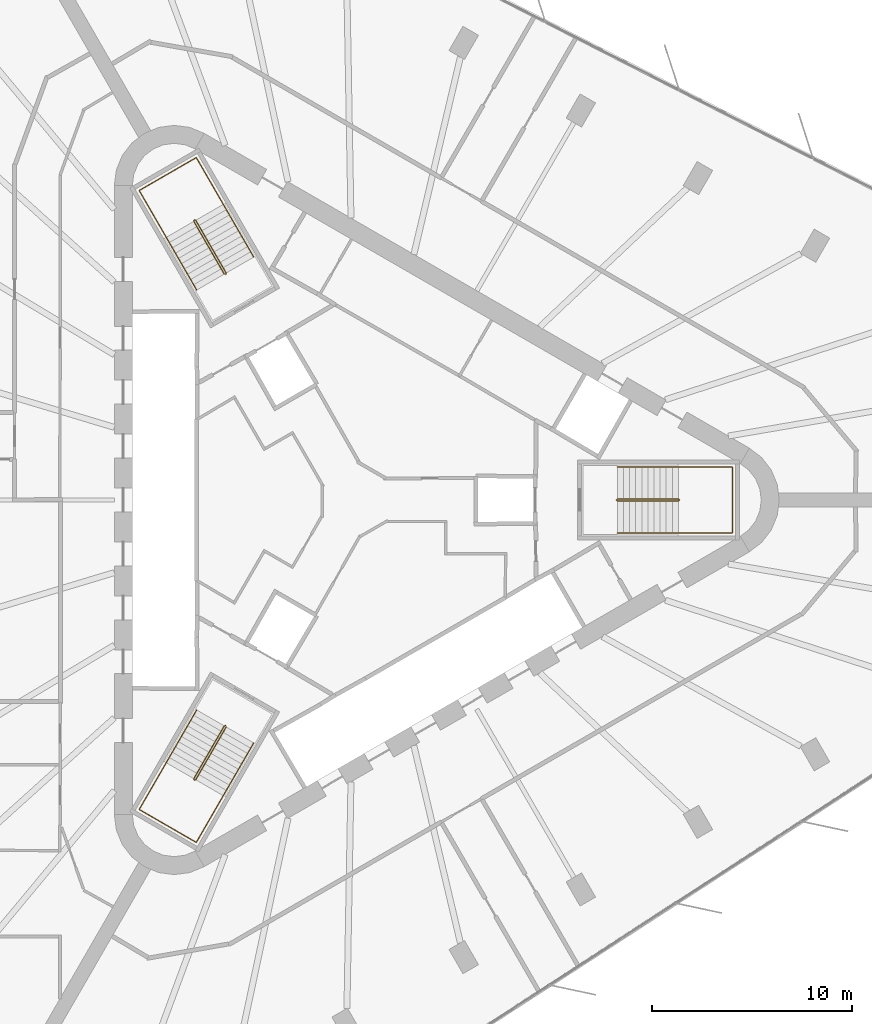
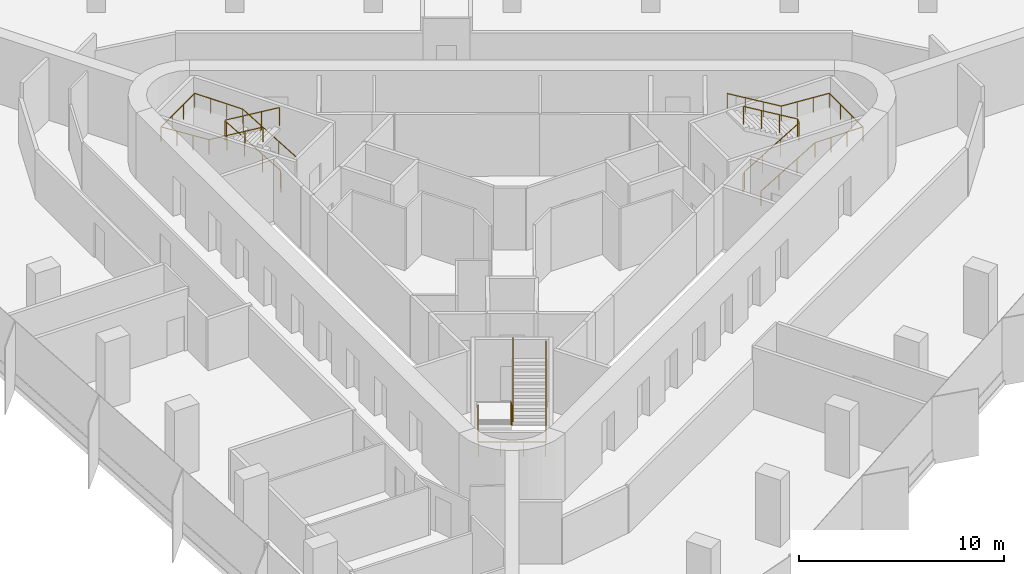
# One storey, part 13 of 13: 6 railings.
"""IFC4 building model written with IfcOpenShell, lengths in metres."""

import ifcopenshell
import ifcopenshell.guid

model = None  # the IFC model being written
_history = None  # IfcOwnerHistory: only IFC2X3 demands one
_inside = {}  # id of a spatial element -> (the spatial element, [elements in it])
_under = {}  # id of a project, library or spatial element -> (it, [spatial elements below it])
_declared = {}  # id of a project -> (the project, [libraries it declares])
_typed = {}  # id of a type object -> (the type object, [elements of that type])
_made_of = {}  # id of a material, layer set ... -> (it, [elements and type objects made of it])


def new_model(schema):
    """Start an empty IFC model of exactly this schema.

    Asked for "IFC4X3", IfcOpenShell would pick the latest addendum, in which some entities
    have other attributes; the version numbers below select the first issue.
    IFC2X3 requires an IfcOwnerHistory on every rooted entity: one is made here for all.
    """
    global model, _history
    if schema == "IFC4X3":
        model = ifcopenshell.file(schema_version=(4, 3, 0, 0))
    else:
        model = ifcopenshell.file(schema=schema)
    _inside.clear()
    _under.clear()
    _declared.clear()
    _typed.clear()
    _made_of.clear()
    _history = None
    if model.schema == "IFC2X3":
        org = make("IfcOrganization", Name="unknown")
        user = make(
            "IfcPersonAndOrganization",
            ThePerson=make("IfcPerson", FamilyName="unknown"),
            TheOrganization=org,
        )
        app = make(
            "IfcApplication",
            ApplicationDeveloper=org,
            Version="unknown",
            ApplicationFullName="unknown",
            ApplicationIdentifier="unknown",
        )
        _history = make(
            "IfcOwnerHistory",
            OwningUser=user,
            OwningApplication=app,
            ChangeAction="ADDED",
            CreationDate=0,
        )
    return model


def make(cls, **values):
    """One entity of the class cls with the attributes given. An attribute that is None is left unset."""
    return model.create_entity(
        cls, **{name: value for name, value in values.items() if value is not None}
    )


def rooted(cls, **values):
    """An entity with a GlobalId (a new one), such as an element, a storey or a relation."""
    return make(cls, GlobalId=ifcopenshell.guid.new(), OwnerHistory=_history, **values)


def si_unit(unit_type, name, prefix=None):
    """IfcSIUnit, for example si_unit("LENGTHUNIT", "METRE", prefix="MILLI")."""
    return make("IfcSIUnit", UnitType=unit_type, Prefix=prefix, Name=name)


def assignment(units):
    """IfcUnitAssignment: the units of a project."""
    return None if units is None else make("IfcUnitAssignment", Units=units)


def point(xyz):
    """IfcCartesianPoint."""
    return None if xyz is None else make("IfcCartesianPoint", Coordinates=xyz)


def direction(xyz):
    """IfcDirection."""
    return None if xyz is None else make("IfcDirection", DirectionRatios=xyz)


def frame(location, z_axis=None, x_axis=None):
    """IfcAxis2Placement3D, a coordinate frame: its origin and axes. An axis left out is left unset."""
    return make(
        "IfcAxis2Placement3D",
        Location=point(location),
        Axis=direction(z_axis),
        RefDirection=direction(x_axis),
    )


def frame_2d(location, x_axis=None):
    """IfcAxis2Placement2D, a coordinate frame in the plane: its origin and x axis."""
    return make(
        "IfcAxis2Placement2D", Location=point(location), RefDirection=direction(x_axis)
    )


def origin():
    """The frame at (0, 0, 0) with its axes left unset."""
    return frame((0.0, 0.0, 0.0))


def origin_2d():
    """The frame at (0, 0) in the plane with its x axis left unset."""
    return frame_2d((0.0, 0.0))


def place(relative_to, where):
    """IfcLocalPlacement: puts the frame where relative to a parent placement (None: the world)."""
    return make(
        "IfcLocalPlacement", PlacementRelTo=relative_to, RelativePlacement=where
    )


def context(
    kind, dimensions, precision=None, world=None, true_north=None, identifier=None
):
    """IfcGeometricRepresentationContext, for example the 3D "Model" context."""
    return make(
        "IfcGeometricRepresentationContext",
        ContextIdentifier=identifier,
        ContextType=kind,
        CoordinateSpaceDimension=dimensions,
        Precision=precision,
        WorldCoordinateSystem=world,
        TrueNorth=true_north,
    )


def subcontext(parent, identifier, kind, view, scale=None):
    """IfcGeometricRepresentationSubContext, for example "Body" below "Model"."""
    return make(
        "IfcGeometricRepresentationSubContext",
        ContextIdentifier=identifier,
        ContextType=kind,
        ParentContext=parent,
        TargetScale=scale,
        TargetView=view,
    )


def project(units=None, contexts=None):
    """IfcProject with its units and contexts."""
    return rooted(
        "IfcProject",
        Name="project",
        RepresentationContexts=contexts,
        UnitsInContext=assignment(units),
    )


def spatial(cls, under=None, at=None, **own):
    """A site, building, storey or space (cls), placed at a placement, below another one or the project."""
    s = rooted(cls, ObjectPlacement=at, **own)
    if under is not None:
        _under.setdefault(under.id(), (under, []))[1].append(s)
    return s


def profile(cls, at=None, kind="AREA", **sizes):
    """A parametric profile (cls). Its sizes go by their IFC names, for example OverallWidth=200.0."""
    return make(cls, ProfileType=kind, Position=at, **sizes)


def circle(**sizes):
    """IfcCircleProfileDef."""
    return profile("IfcCircleProfileDef", **sizes)


def extrude(swept, where, along, depth):
    """IfcExtrudedAreaSolid: the profile swept, set in the frame where, extruded along a direction by depth."""
    return make(
        "IfcExtrudedAreaSolid",
        SweptArea=swept,
        Position=where,
        ExtrudedDirection=direction(along),
        Depth=depth,
    )


def shape(context_of_items, identifier, shape_type, items):
    """IfcShapeRepresentation: the items that make up one representation, for example the "Body"."""
    return make(
        "IfcShapeRepresentation",
        ContextOfItems=context_of_items,
        RepresentationIdentifier=identifier,
        RepresentationType=shape_type,
        Items=items,
    )


def material(Name=None, Category=None):
    """IfcMaterial."""
    return make("IfcMaterial", Name=Name, Category=Category)


def made_of(thing, what):
    """Note that an element or type object is made of a material, layer set ...; save() writes the relation."""
    if what is not None:
        _made_of.setdefault(what.id(), (what, []))[1].append(thing)
    return thing


def type_object(cls, material=None, **own):
    """A type object (cls), such as IfcWallType, which elements share."""
    return made_of(rooted(cls, **own), material)


def element(
    cls,
    number,
    at=None,
    inside=None,
    cuts=None,
    type_object=None,
    material=None,
    context=None,
    identifier="Body",
    shape_type=None,
    held_by="IfcProductDefinitionShape",
    body=None,
    shapes=None,
    **own,
):
    """One element of the class cls, such as IfcWall. Its Tag is "e" and its number.

    at: its placement. inside: the storey or other place that contains it. cuts: it is an
    opening in that element (IfcRelVoidsElement). A single representation is given by context,
    identifier, shape_type and body (its items); several are given by shapes. held_by: the class
    of the entity that holds the representations. save() writes the other relations.
    """
    e = rooted(cls, Tag="e%d" % number, ObjectPlacement=at, **own)
    if body is not None:
        shapes = [shape(context, identifier, shape_type, body)]
    if shapes is not None:
        e.Representation = make(held_by, Representations=shapes)
    if inside is not None:
        _inside.setdefault(inside.id(), (inside, []))[1].append(e)
    if cuts is not None:
        rooted(
            "IfcRelVoidsElement", RelatingBuildingElement=cuts, RelatedOpeningElement=e
        )
    if type_object is not None:
        _typed.setdefault(type_object.id(), (type_object, []))[1].append(e)
    return made_of(e, material)


def aggregate(whole, parts):
    """IfcRelAggregates: a whole, such as a stair, and the parts it consists of."""
    return rooted("IfcRelAggregates", RelatingObject=whole, RelatedObjects=parts)


def save(model, path):
    """Write the relations noted so far, then the file.

    IfcRelAggregates (storeys below a building ...), IfcRelContainedInSpatialStructure (elements
    in a storey), IfcRelDefinesByType, IfcRelAssociatesMaterial and IfcRelDeclares: one each for
    every whole, place, type object, material and project.
    """
    for whole, parts in _under.values():
        aggregate(whole, parts)
    for where, things in _inside.values():
        rooted(
            "IfcRelContainedInSpatialStructure",
            RelatedElements=things,
            RelatingStructure=where,
        )
    for kind, things in _typed.values():
        rooted("IfcRelDefinesByType", RelatedObjects=things, RelatingType=kind)
    for what, things in _made_of.values():
        rooted("IfcRelAssociatesMaterial", RelatedObjects=things, RelatingMaterial=what)
    for by, libraries in _declared.values():
        rooted("IfcRelDeclares", RelatingContext=by, RelatedDefinitions=libraries)
    model.write(path)


model = new_model("IFC4")

# Units and contexts
model_context = context("Model", 3, precision=1e-05, world=origin(), true_north=direction((0.0, 1.0)))
body_context = subcontext(model_context, "Body", "Model", "MODEL_VIEW")
ifc_project = project(units=[si_unit("LENGTHUNIT", "METRE"), si_unit("AREAUNIT", "SQUARE_METRE"), si_unit("VOLUMEUNIT", "CUBIC_METRE"), si_unit("PLANEANGLEUNIT", "RADIAN"), si_unit("MASSUNIT", "GRAM", prefix="KILO")], contexts=[model_context])

# Site, building, storey
site_placement = place(None, origin())
site = spatial("IfcSite", under=ifc_project, at=site_placement, CompositionType="ELEMENT")
building_placement = place(site_placement, origin())
building = spatial("IfcBuilding", under=site, at=building_placement, Name="Tanit Gate Tower", CompositionType="ELEMENT")
storey_placement = place(building_placement, frame((0.0, 0.0, 177.199951171875)))
storey = spatial("IfcBuildingStorey", under=building, at=storey_placement, Name="L38", CompositionType="ELEMENT", Elevation=177.199951171875)

# Railings
ifc_material_1 = material(Name="Stainless steel balustrade", Category="steel")
railing_type_1 = type_object("IfcRailingType", Name="INT-STAIR-GUARD", PredefinedType="GUARDRAIL", material=ifc_material_1)
railing_1_placement = place(storey_placement, frame((13.044921875, 0.0048828125, 0.0)))
element("IfcRailing", 1, at=railing_1_placement, inside=storey, type_object=railing_type_1, Name="L38 S1 stair guard 1", PredefinedType="GUARDRAIL", context=body_context, shape_type="SweptSolid", body=[
    extrude(circle(Radius=0.02392578125, at=origin_2d()), frame((0.0, 0.0, 1.076171875), z_axis=(0.0, -1.0, 0.0), x_axis=(1.0, 0.0, 0.0)), (0.0, 0.0, 1.0), 0.009765625),
    extrude(circle(Radius=0.02392578125, at=origin_2d()), frame((0.0, -0.009765625, 1.076171875), z_axis=(0.256435381639, -0.256435381639, 0.931923704005), x_axis=(0.707106781187, 0.707106781187, 0.0)), (0.0, 0.0, 1.0), 0.195068359375),
    extrude(circle(Radius=0.02392578125, at=origin_2d()), frame((0.050048828125, -0.059814453125, 1.2578125), z_axis=(0.859041732319, 0.0, 0.511905559781), x_axis=(0.0, 1.0, 0.0)), (0.0, 0.0, 1.0), 3.5517578125),
    extrude(circle(Radius=0.02392578125, at=origin_2d()), frame((3.10107421875, -0.059814453125, 3.076171875), z_axis=(0.707106781187, 0.707106781187, 0.0), x_axis=(-0.707106781187, 0.707106781187, 0.0)), (0.0, 0.0, 1.0), 0.07080078125),
    extrude(circle(Radius=0.02392578125, at=origin_2d()), frame((3.151123046875, -0.009765625, 3.076171875), z_axis=(0.0, 1.0, 0.0), x_axis=(-1.0, 0.0, 0.0)), (0.0, 0.0, 1.0), 0.009765625),
    extrude(circle(Radius=0.02392578125, at=origin_2d()), frame((3.151123046875, 0.0, 3.076171875), z_axis=(-0.256435381639, 0.256435381639, 0.931923704005), x_axis=(-0.707106781187, -0.707106781187, 0.0)), (0.0, 0.0, 1.0), 0.195068359375),
    extrude(circle(Radius=0.02392578125, at=origin_2d()), frame((3.10107421875, 0.050048828125, 3.2578125), z_axis=(-0.859041732319, 0.0, 0.511905559781), x_axis=(0.0, -1.0, 0.0)), (0.0, 0.0, 1.0), 3.5517578125),
    extrude(circle(Radius=0.02099609375, at=origin_2d()), origin(), (0.0, 0.0, 1.0), 1.052001953125),
    extrude(circle(Radius=0.02099609375, at=origin_2d()), frame((0.0, -0.009765625, 0.0)), (0.0, 0.0, 1.0), 1.052001953125),
    extrude(circle(Radius=0.02099609375, at=origin_2d()), frame((0.050048828125, -0.059814453125, 0.181884765625)), (0.0, 0.0, 1.0), 1.052001953125),
    extrude(circle(Radius=0.02099609375, at=origin_2d()), frame((1.067138671875, -0.059814453125, 0.787841796875)), (0.0, 0.0, 1.0), 1.052001953125),
    extrude(circle(Radius=0.02099609375, at=origin_2d()), frame((2.083984375, -0.059814453125, 1.39404296875)), (0.0, 0.0, 1.0), 1.052001953125),
    extrude(circle(Radius=0.02099609375, at=origin_2d()), frame((3.10107421875, -0.059814453125, 2.0)), (0.0, 0.0, 1.0), 1.052001953125),
    extrude(circle(Radius=0.02099609375, at=origin_2d()), frame((3.151123046875, -0.009765625, 2.0)), (0.0, 0.0, 1.0), 1.052001953125),
    extrude(circle(Radius=0.02099609375, at=origin_2d()), frame((3.151123046875, 0.0, 2.0)), (0.0, 0.0, 1.0), 1.052001953125),
    extrude(circle(Radius=0.02099609375, at=origin_2d()), frame((3.10107421875, 0.050048828125, 2.181884765625)), (0.0, 0.0, 1.0), 1.052001953125),
    extrude(circle(Radius=0.02099609375, at=origin_2d()), frame((2.083984375, 0.050048828125, 2.787841796875)), (0.0, 0.0, 1.0), 1.052001953125),
    extrude(circle(Radius=0.02099609375, at=origin_2d()), frame((1.067138671875, 0.050048828125, 3.39404296875)), (0.0, 0.0, 1.0), 1.052001953125),
    extrude(circle(Radius=0.02099609375, at=origin_2d()), frame((0.050048828125, 0.050048828125, 4.0)), (0.0, 0.0, 1.0), 1.052001953125),
])
railing_2_placement = place(storey_placement, frame((-6.527099609375, 11.29345703125, 0.0)))
element("IfcRailing", 2, at=railing_2_placement, inside=storey, type_object=railing_type_1, Name="L38 S2 stair guard 1", PredefinedType="GUARDRAIL", context=body_context, shape_type="SweptSolid", body=[
    extrude(circle(Radius=0.02392578125, at=origin_2d()), frame((0.0, 0.0, 1.076171875), z_axis=(0.868243142124, 0.496138938357, 0.0), x_axis=(-0.496138938357, 0.868243142124, 0.0)), (0.0, 0.0, 1.0), 0.01171875),
    extrude(circle(Radius=0.02392578125, at=origin_2d()), frame((0.01025390625, 0.005859375, 1.076171875), z_axis=(0.093819657636, 0.350260055175, 0.93194193252), x_axis=(-0.965948051503, 0.258736085224, 0.0)), (0.0, 0.0, 1.0), 0.195068359375),
    extrude(circle(Radius=0.02392578125, at=origin_2d()), frame((0.028564453125, 0.07421875, 1.2578125), z_axis=(-0.429472220917, 0.743822504634, 0.512134448226), x_axis=(-0.866012246495, -0.500022788402, 0.0)), (0.0, 0.0, 1.0), 3.550048828125),
    extrude(circle(Radius=0.02392578125, at=origin_2d()), frame((-1.49609375, 2.71484375, 3.076171875), z_axis=(-0.965715946433, 0.259601060869, 0.0), x_axis=(-0.259601060869, -0.965715946433, 0.0)), (0.0, 0.0, 1.0), 0.070556640625),
    extrude(circle(Radius=0.02392578125, at=origin_2d()), frame((-1.564208984375, 2.733154296875, 3.076171875), z_axis=(-0.873197702015, -0.487366159264, 0.0), x_axis=(0.487366159264, -0.873197702015, 0.0)), (0.0, 0.0, 1.0), 0.011962890625),
    extrude(circle(Radius=0.02392578125, at=origin_2d()), frame((-1.57470703125, 2.727294921875, 3.076171875), z_axis=(-0.093819657636, -0.350260055175, 0.93194193252), x_axis=(0.965948051503, -0.258736085224, 0.0)), (0.0, 0.0, 1.0), 0.195068359375),
    extrude(circle(Radius=0.02392578125, at=origin_2d()), frame((-1.593017578125, 2.658935546875, 3.2578125), z_axis=(0.429472220917, -0.743822504634, 0.512134448226), x_axis=(0.866012246495, 0.500022788402, 0.0)), (0.0, 0.0, 1.0), 3.550048828125),
    extrude(circle(Radius=0.02099609375, at=origin_2d()), origin(), (0.0, 0.0, 1.0), 1.052001953125),
    extrude(circle(Radius=0.02099609375, at=origin_2d()), frame((0.01025390625, 0.005859375, 0.0)), (0.0, 0.0, 1.0), 1.052001953125),
    extrude(circle(Radius=0.02099609375, at=origin_2d()), frame((0.028564453125, 0.07421875, 0.181884765625)), (0.0, 0.0, 1.0), 1.052001953125),
    extrude(circle(Radius=0.02099609375, at=origin_2d()), frame((-0.479736328125, 0.954345703125, 0.787841796875)), (0.0, 0.0, 1.0), 1.052001953125),
    extrude(circle(Radius=0.02099609375, at=origin_2d()), frame((-0.98779296875, 1.834716796875, 1.39404296875)), (0.0, 0.0, 1.0), 1.052001953125),
    extrude(circle(Radius=0.02099609375, at=origin_2d()), frame((-1.49609375, 2.71484375, 2.0)), (0.0, 0.0, 1.0), 1.052001953125),
    extrude(circle(Radius=0.02099609375, at=origin_2d()), frame((-1.564208984375, 2.733154296875, 2.0)), (0.0, 0.0, 1.0), 1.052001953125),
    extrude(circle(Radius=0.02099609375, at=origin_2d()), frame((-1.57470703125, 2.727294921875, 2.0)), (0.0, 0.0, 1.0), 1.052001953125),
    extrude(circle(Radius=0.02099609375, at=origin_2d()), frame((-1.593017578125, 2.658935546875, 2.181884765625)), (0.0, 0.0, 1.0), 1.052001953125),
    extrude(circle(Radius=0.02099609375, at=origin_2d()), frame((-1.084716796875, 1.77880859375, 2.787841796875)), (0.0, 0.0, 1.0), 1.052001953125),
    extrude(circle(Radius=0.02099609375, at=origin_2d()), frame((-0.57666015625, 0.8984375, 3.39404296875)), (0.0, 0.0, 1.0), 1.052001953125),
    extrude(circle(Radius=0.02099609375, at=origin_2d()), frame((-0.068359375, 0.018310546875, 4.0)), (0.0, 0.0, 1.0), 1.052001953125),
])
railing_3_placement = place(storey_placement, frame((-6.51806640625, -11.2998046875, 0.0)))
element("IfcRailing", 3, at=railing_3_placement, inside=storey, type_object=railing_type_1, Name="L38 S3 stair guard 1", PredefinedType="GUARDRAIL", context=body_context, shape_type="SweptSolid", body=[
    extrude(circle(Radius=0.02392578125, at=origin_2d()), frame((0.0, 0.0, 1.076171875), z_axis=(-0.874157276122, 0.485642931179, 0.0), x_axis=(-0.485642931179, -0.874157276122, 0.0)), (0.0, 0.0, 1.0), 0.010009765625),
    extrude(circle(Radius=0.02392578125, at=origin_2d()), frame((-0.0087890625, 0.0048828125, 1.076171875), z_axis=(-0.350300895388, -0.092579522353, 0.932050596658), x_axis=(0.255512919477, -0.966805641264, 0.0)), (0.0, 0.0, 1.0), 0.195068359375),
    extrude(circle(Radius=0.02392578125, at=origin_2d()), frame((-0.0771484375, -0.01318359375, 1.2578125), z_axis=(-0.429486674828, -0.743971555965, 0.511905772639), x_axis=(0.866048339477, -0.499960272111, 0.0)), (0.0, 0.0, 1.0), 3.5517578125),
    extrude(circle(Radius=0.02392578125, at=origin_2d()), frame((-1.6025390625, -2.655517578125, 3.076171875), z_axis=(0.258736085224, -0.965948051503, 0.0), x_axis=(0.965948051503, 0.258736085224, 0.0)), (0.0, 0.0, 1.0), 0.07080078125),
    extrude(circle(Radius=0.02392578125, at=origin_2d()), frame((-1.584228515625, -2.723876953125, 3.076171875), z_axis=(0.868243142124, -0.496138938357, 0.0), x_axis=(0.496138938357, 0.868243142124, 0.0)), (0.0, 0.0, 1.0), 0.009765625),
    extrude(circle(Radius=0.02392578125, at=origin_2d()), frame((-1.57568359375, -2.728759765625, 3.076171875), z_axis=(0.350260055175, 0.093819657636, 0.93194193252), x_axis=(-0.258736085224, 0.965948051503, 0.0)), (0.0, 0.0, 1.0), 0.195068359375),
    extrude(circle(Radius=0.02392578125, at=origin_2d()), frame((-1.50732421875, -2.71044921875, 3.2578125), z_axis=(0.429564698942, 0.743918894535, 0.511916836777), x_axis=(-0.865993683553, 0.500054937028, 0.0)), (0.0, 0.0, 1.0), 3.551513671875),
    extrude(circle(Radius=0.02099609375, at=origin_2d()), origin(), (0.0, 0.0, 1.0), 1.052001953125),
    extrude(circle(Radius=0.02099609375, at=origin_2d()), frame((-0.0087890625, 0.0048828125, 0.0)), (0.0, 0.0, 1.0), 1.052001953125),
    extrude(circle(Radius=0.02099609375, at=origin_2d()), frame((-0.0771484375, -0.01318359375, 0.181884765625)), (0.0, 0.0, 1.0), 1.052001953125),
    extrude(circle(Radius=0.02099609375, at=origin_2d()), frame((-0.585693359375, -0.89404296875, 0.787841796875)), (0.0, 0.0, 1.0), 1.052001953125),
    extrude(circle(Radius=0.02099609375, at=origin_2d()), frame((-1.093994140625, -1.774658203125, 1.39404296875)), (0.0, 0.0, 1.0), 1.052001953125),
    extrude(circle(Radius=0.02099609375, at=origin_2d()), frame((-1.6025390625, -2.655517578125, 2.0)), (0.0, 0.0, 1.0), 1.052001953125),
    extrude(circle(Radius=0.02099609375, at=origin_2d()), frame((-1.584228515625, -2.723876953125, 2.0)), (0.0, 0.0, 1.0), 1.052001953125),
    extrude(circle(Radius=0.02099609375, at=origin_2d()), frame((-1.57568359375, -2.728759765625, 2.0)), (0.0, 0.0, 1.0), 1.052001953125),
    extrude(circle(Radius=0.02099609375, at=origin_2d()), frame((-1.50732421875, -2.71044921875, 2.181884765625)), (0.0, 0.0, 1.0), 1.052001953125),
    extrude(circle(Radius=0.02099609375, at=origin_2d()), frame((-0.998779296875, -1.829833984375, 2.787841796875)), (0.0, 0.0, 1.0), 1.052001953125),
    extrude(circle(Radius=0.02099609375, at=origin_2d()), frame((-0.490234375, -0.948974609375, 3.39404296875)), (0.0, 0.0, 1.0), 1.052001953125),
    extrude(circle(Radius=0.02099609375, at=origin_2d()), frame((0.018310546875, -0.068359375, 4.0)), (0.0, 0.0, 1.0), 1.052001953125),
])
ifc_material_2 = material(Name="Stainless steel handrail", Category="steel")
railing_type_2 = type_object("IfcRailingType", Name="INT-STAIR-HANDRAIL", PredefinedType="HANDRAIL", material=ifc_material_2)
railing_4_placement = place(storey_placement, frame((13.094970703125, -1.64990234375, 0.181884765625)))
element("IfcRailing", 4, at=railing_4_placement, inside=storey, type_object=railing_type_2, Name="L38 S1 stair handrail 1", PredefinedType="HANDRAIL", context=body_context, shape_type="SweptSolid", body=[
    extrude(circle(Radius=0.02392578125, at=origin_2d()), frame((0.0, 0.0, 0.8759765625), z_axis=(0.859041732319, 0.0, 0.511905559781), x_axis=(0.0, 1.0, 0.0)), (0.0, 0.0, 1.0), 3.5517578125),
    extrude(circle(Radius=0.02392578125, at=origin_2d()), frame((3.051025390625, 0.0, 2.69384765625), z_axis=(1.0, 0.0, 0.0), x_axis=(0.0, 1.0, 0.0)), (0.0, 0.0, 1.0), 2.7041015625),
    extrude(circle(Radius=0.02392578125, at=origin_2d()), frame((5.755126953125, 0.0, 2.69384765625), z_axis=(0.0, 1.0, 0.0), x_axis=(-1.0, 0.0, 0.0)), (0.0, 0.0, 1.0), 3.2998046875),
    extrude(circle(Radius=0.02392578125, at=origin_2d()), frame((5.755126953125, 3.2998046875, 2.69384765625), z_axis=(-0.997745521698, 0.0, 0.067110907698), x_axis=(0.0, -1.0, 0.0)), (0.0, 0.0, 1.0), 2.710205078125),
    extrude(circle(Radius=0.02392578125, at=origin_2d()), frame((3.051025390625, 3.2998046875, 2.8759765625), z_axis=(-0.859041732319, 0.0, 0.511905559781), x_axis=(0.0, -1.0, 0.0)), (0.0, 0.0, 1.0), 3.5517578125),
    extrude(circle(Radius=0.02099609375, at=origin_2d()), origin(), (0.0, 0.0, 1.0), 0.851806640625),
    extrude(circle(Radius=0.02099609375, at=origin_2d()), frame((1.01708984375, 0.0, 0.60595703125)), (0.0, 0.0, 1.0), 0.851806640625),
    extrude(circle(Radius=0.02099609375, at=origin_2d()), frame((2.033935546875, 0.0, 1.212158203125)), (0.0, 0.0, 1.0), 0.851806640625),
    extrude(circle(Radius=0.02099609375, at=origin_2d()), frame((3.051025390625, 0.0, 1.818115234375)), (0.0, 0.0, 1.0), 0.851806640625),
    extrude(circle(Radius=0.02099609375, at=origin_2d()), frame((3.952392578125, 0.0, 1.818115234375)), (0.0, 0.0, 1.0), 0.851806640625),
    extrude(circle(Radius=0.02099609375, at=origin_2d()), frame((4.853759765625, 0.0, 1.818115234375)), (0.0, 0.0, 1.0), 0.851806640625),
    extrude(circle(Radius=0.02099609375, at=origin_2d()), frame((5.755126953125, 0.0, 1.818115234375)), (0.0, 0.0, 1.0), 0.851806640625),
    extrude(circle(Radius=0.02099609375, at=origin_2d()), frame((5.755126953125, 1.099853515625, 1.818115234375)), (0.0, 0.0, 1.0), 0.851806640625),
    extrude(circle(Radius=0.02099609375, at=origin_2d()), frame((5.755126953125, 2.199951171875, 1.818115234375)), (0.0, 0.0, 1.0), 0.851806640625),
    extrude(circle(Radius=0.02099609375, at=origin_2d()), frame((5.755126953125, 3.2998046875, 1.818115234375)), (0.0, 0.0, 1.0), 0.851806640625),
    extrude(circle(Radius=0.02099609375, at=origin_2d()), frame((4.853759765625, 3.2998046875, 1.878662109375)), (0.0, 0.0, 1.0), 0.851806640625),
    extrude(circle(Radius=0.02099609375, at=origin_2d()), frame((3.952392578125, 3.2998046875, 1.939453125)), (0.0, 0.0, 1.0), 0.851806640625),
    extrude(circle(Radius=0.02099609375, at=origin_2d()), frame((3.051025390625, 3.2998046875, 2.0)), (0.0, 0.0, 1.0), 0.851806640625),
    extrude(circle(Radius=0.02099609375, at=origin_2d()), frame((2.033935546875, 3.2998046875, 2.60595703125)), (0.0, 0.0, 1.0), 0.851806640625),
    extrude(circle(Radius=0.02099609375, at=origin_2d()), frame((1.01708984375, 3.2998046875, 3.212158203125)), (0.0, 0.0, 1.0), 0.851806640625),
    extrude(circle(Radius=0.02099609375, at=origin_2d()), frame((0.0, 3.2998046875, 3.818115234375)), (0.0, 0.0, 1.0), 0.851806640625),
])
railing_5_placement = place(storey_placement, frame((-5.1181640625, 12.164794921875, 0.181884765625)))
element("IfcRailing", 5, at=railing_5_placement, inside=storey, type_object=railing_type_2, Name="L38 S2 stair handrail 1", PredefinedType="HANDRAIL", context=body_context, shape_type="SweptSolid", body=[
    extrude(circle(Radius=0.02392578125, at=origin_2d()), frame((0.0, 0.0, 0.8759765625), z_axis=(-0.429416132344, 0.743844472684, 0.512149573602), x_axis=(-0.866046917185, -0.499962735845, 0.0)), (0.0, 0.0, 1.0), 3.550048828125),
    extrude(circle(Radius=0.02392578125, at=origin_2d()), frame((-1.5244140625, 2.640625, 2.69384765625), z_axis=(-0.500019123664, 0.86601436245, 0.0), x_axis=(-0.86601436245, -0.500019123664, 0.0)), (0.0, 0.0, 1.0), 2.70703125),
    extrude(circle(Radius=0.02392578125, at=origin_2d()), frame((-2.8779296875, 4.98486328125, 2.69384765625), z_axis=(-0.866008176907, -0.50002983664, 0.0), x_axis=(0.50002983664, -0.866008176907, 0.0)), (0.0, 0.0, 1.0), 3.300048828125),
    extrude(circle(Radius=0.02392578125, at=origin_2d()), frame((-5.73583984375, 3.334716796875, 2.69384765625), z_axis=(0.498932980467, -0.864043208057, 0.067046369128), x_axis=(0.865991810323, 0.500058181068, 0.0)), (0.0, 0.0, 1.0), 2.712890625),
    extrude(circle(Radius=0.02392578125, at=origin_2d()), frame((-4.38232421875, 0.99072265625, 2.8759765625), z_axis=(0.429450252752, -0.743853224023, 0.512108251761), x_axis=(0.866032263162, 0.499988119021, 0.0)), (0.0, 0.0, 1.0), 3.55029296875),
    extrude(circle(Radius=0.02099609375, at=origin_2d()), origin(), (0.0, 0.0, 1.0), 0.851806640625),
    extrude(circle(Radius=0.02099609375, at=origin_2d()), frame((-0.508056640625, 0.880126953125, 0.60595703125)), (0.0, 0.0, 1.0), 0.851806640625),
    extrude(circle(Radius=0.02099609375, at=origin_2d()), frame((-1.016357421875, 1.760498046875, 1.212158203125)), (0.0, 0.0, 1.0), 0.851806640625),
    extrude(circle(Radius=0.02099609375, at=origin_2d()), frame((-1.5244140625, 2.640625, 1.818115234375)), (0.0, 0.0, 1.0), 0.851806640625),
    extrude(circle(Radius=0.02099609375, at=origin_2d()), frame((-1.9755859375, 3.422119140625, 1.818115234375)), (0.0, 0.0, 1.0), 0.851806640625),
    extrude(circle(Radius=0.02099609375, at=origin_2d()), frame((-2.4267578125, 4.203369140625, 1.818115234375)), (0.0, 0.0, 1.0), 0.851806640625),
    extrude(circle(Radius=0.02099609375, at=origin_2d()), frame((-2.8779296875, 4.98486328125, 1.818115234375)), (0.0, 0.0, 1.0), 0.851806640625),
    extrude(circle(Radius=0.02099609375, at=origin_2d()), frame((-3.83056640625, 4.434814453125, 1.818115234375)), (0.0, 0.0, 1.0), 0.851806640625),
    extrude(circle(Radius=0.02099609375, at=origin_2d()), frame((-4.783203125, 3.884765625, 1.818115234375)), (0.0, 0.0, 1.0), 0.851806640625),
    extrude(circle(Radius=0.02099609375, at=origin_2d()), frame((-5.73583984375, 3.334716796875, 1.818115234375)), (0.0, 0.0, 1.0), 0.851806640625),
    extrude(circle(Radius=0.02099609375, at=origin_2d()), frame((-5.28466796875, 2.553466796875, 1.878662109375)), (0.0, 0.0, 1.0), 0.851806640625),
    extrude(circle(Radius=0.02099609375, at=origin_2d()), frame((-4.83349609375, 1.77197265625, 1.939453125)), (0.0, 0.0, 1.0), 0.851806640625),
    extrude(circle(Radius=0.02099609375, at=origin_2d()), frame((-4.38232421875, 0.99072265625, 2.0)), (0.0, 0.0, 1.0), 0.851806640625),
    extrude(circle(Radius=0.02099609375, at=origin_2d()), frame((-3.8740234375, 0.1103515625, 2.60595703125)), (0.0, 0.0, 1.0), 0.851806640625),
    extrude(circle(Radius=0.02099609375, at=origin_2d()), frame((-3.365966796875, -0.769775390625, 3.212158203125)), (0.0, 0.0, 1.0), 0.851806640625),
    extrude(circle(Radius=0.02099609375, at=origin_2d()), frame((-2.857666015625, -1.650146484375, 3.818115234375)), (0.0, 0.0, 1.0), 0.851806640625),
])
railing_6_placement = place(storey_placement, frame((-7.9765625, -10.515625, 0.181884765625)))
element("IfcRailing", 6, at=railing_6_placement, inside=storey, type_object=railing_type_2, Name="L38 S3 stair handrail 1", PredefinedType="HANDRAIL", context=body_context, shape_type="SweptSolid", body=[
    extrude(circle(Radius=0.02392578125, at=origin_2d()), frame((0.0, 0.0, 0.8759765625), z_axis=(-0.429486674828, -0.743971555965, 0.511905772639), x_axis=(0.866048339477, -0.499960272111, 0.0)), (0.0, 0.0, 1.0), 3.5517578125),
    extrude(circle(Radius=0.02392578125, at=origin_2d()), frame((-1.525390625, -2.642333984375, 2.69384765625), z_axis=(-0.50004290449, -0.866000631449, 0.0), x_axis=(0.866000631449, -0.50004290449, 0.0)), (0.0, 0.0, 1.0), 2.703857421875),
    extrude(circle(Radius=0.02392578125, at=origin_2d()), frame((-2.87744140625, -4.98388671875, 2.69384765625), z_axis=(0.866008176907, -0.50002983664, 0.0), x_axis=(0.50002983664, 0.866008176907, 0.0)), (0.0, 0.0, 1.0), 3.300048828125),
    extrude(circle(Radius=0.02392578125, at=origin_2d()), frame((-0.01953125, -6.634033203125, 2.69384765625), z_axis=(0.498876541924, 0.864070745781, 0.067111416348), x_axis=(-0.866023205937, 0.500003806764, 0.0)), (0.0, 0.0, 1.0), 2.710205078125),
    extrude(circle(Radius=0.02392578125, at=origin_2d()), frame((1.33251953125, -4.292236328125, 2.8759765625), z_axis=(0.429486674828, 0.743971555965, 0.511905772639), x_axis=(-0.866048339477, 0.499960272111, 0.0)), (0.0, 0.0, 1.0), 3.5517578125),
    extrude(circle(Radius=0.02099609375, at=origin_2d()), origin(), (0.0, 0.0, 1.0), 0.851806640625),
    extrude(circle(Radius=0.02099609375, at=origin_2d()), frame((-0.508544921875, -0.880859375, 0.60595703125)), (0.0, 0.0, 1.0), 0.851806640625),
    extrude(circle(Radius=0.02099609375, at=origin_2d()), frame((-1.016845703125, -1.761474609375, 1.212158203125)), (0.0, 0.0, 1.0), 0.851806640625),
    extrude(circle(Radius=0.02099609375, at=origin_2d()), frame((-1.525390625, -2.642333984375, 1.818115234375)), (0.0, 0.0, 1.0), 0.851806640625),
    extrude(circle(Radius=0.02099609375, at=origin_2d()), frame((-1.97607421875, -3.4228515625, 1.818115234375)), (0.0, 0.0, 1.0), 0.851806640625),
    extrude(circle(Radius=0.02099609375, at=origin_2d()), frame((-2.4267578125, -4.203369140625, 1.818115234375)), (0.0, 0.0, 1.0), 0.851806640625),
    extrude(circle(Radius=0.02099609375, at=origin_2d()), frame((-2.87744140625, -4.98388671875, 1.818115234375)), (0.0, 0.0, 1.0), 0.851806640625),
    extrude(circle(Radius=0.02099609375, at=origin_2d()), frame((-1.9248046875, -5.533935546875, 1.818115234375)), (0.0, 0.0, 1.0), 0.851806640625),
    extrude(circle(Radius=0.02099609375, at=origin_2d()), frame((-0.97216796875, -6.083984375, 1.818115234375)), (0.0, 0.0, 1.0), 0.851806640625),
    extrude(circle(Radius=0.02099609375, at=origin_2d()), frame((-0.01953125, -6.634033203125, 1.818115234375)), (0.0, 0.0, 1.0), 0.851806640625),
    extrude(circle(Radius=0.02099609375, at=origin_2d()), frame((0.43115234375, -5.853515625, 1.878662109375)), (0.0, 0.0, 1.0), 0.851806640625),
    extrude(circle(Radius=0.02099609375, at=origin_2d()), frame((0.8818359375, -5.07275390625, 1.939453125)), (0.0, 0.0, 1.0), 0.851806640625),
    extrude(circle(Radius=0.02099609375, at=origin_2d()), frame((1.33251953125, -4.292236328125, 2.0)), (0.0, 0.0, 1.0), 0.851806640625),
    extrude(circle(Radius=0.02099609375, at=origin_2d()), frame((1.841064453125, -3.411376953125, 2.60595703125)), (0.0, 0.0, 1.0), 0.851806640625),
    extrude(circle(Radius=0.02099609375, at=origin_2d()), frame((2.349365234375, -2.53076171875, 3.212158203125)), (0.0, 0.0, 1.0), 0.851806640625),
    extrude(circle(Radius=0.02099609375, at=origin_2d()), frame((2.85791015625, -1.64990234375, 3.818115234375)), (0.0, 0.0, 1.0), 0.851806640625),
])

save(model, "model.ifc")
